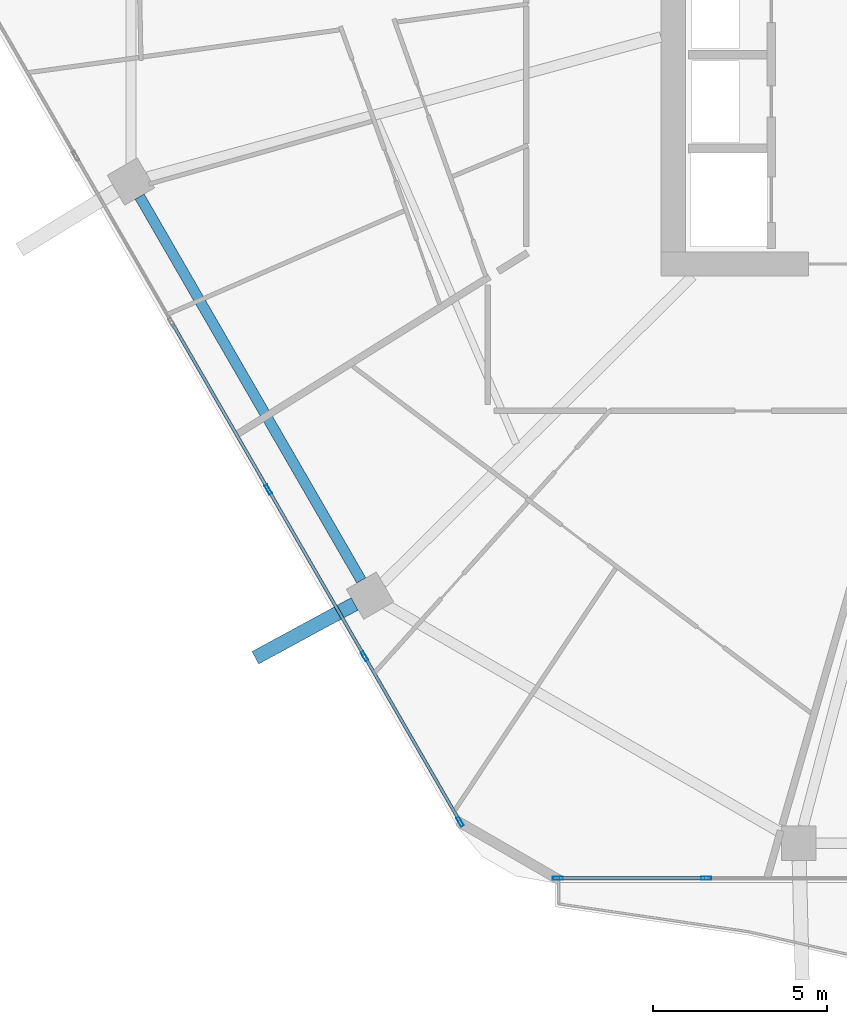
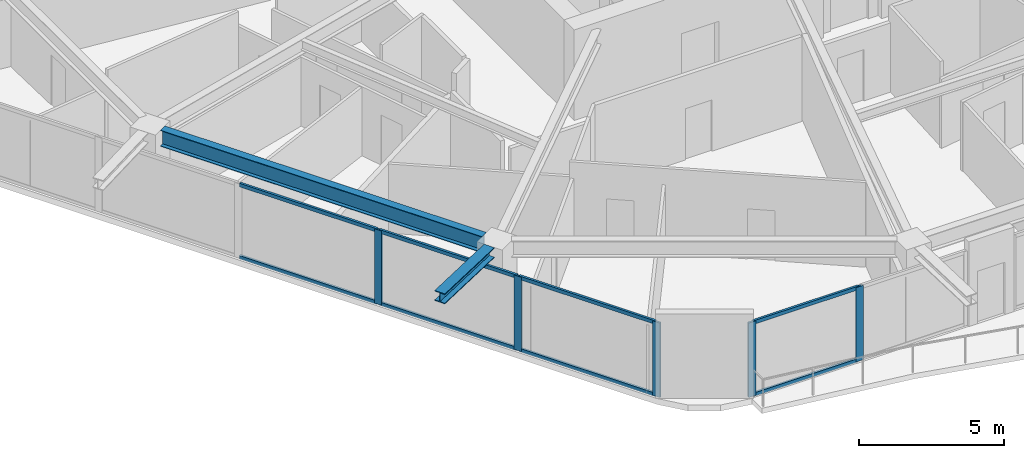
# One storey, part 2 of 25: 13 members, 2 beams, 2 elements without a shape of their own.
"""IFC4 building model written with IfcOpenShell, lengths in metres."""

from ifc_helpers import new_model, si_unit, direction, frame, origin, origin_2d, place, context, subcontext, project, spatial, hollow_rectangle, i_section, extrude, material, material_profile, profile_set, type_object, element, aggregate, save


model = new_model("IFC4")

# Units and contexts
model_context = context("Model", 3, precision=1e-05, world=origin(), true_north=direction((0.0, 1.0)))
body_context = subcontext(model_context, "Body", "Model", "MODEL_VIEW")
ifc_project = project(units=[si_unit("LENGTHUNIT", "METRE"), si_unit("AREAUNIT", "SQUARE_METRE"), si_unit("VOLUMEUNIT", "CUBIC_METRE"), si_unit("PLANEANGLEUNIT", "RADIAN"), si_unit("MASSUNIT", "GRAM", prefix="KILO")], contexts=[model_context])

# Site, building, storey
site_placement = place(None, origin())
site = spatial("IfcSite", under=ifc_project, at=site_placement, CompositionType="ELEMENT")
building_placement = place(site_placement, origin())
building = spatial("IfcBuilding", under=site, at=building_placement, Name="Zuhravey Tower", CompositionType="ELEMENT")
storey_placement = place(building_placement, frame((0.0, 0.0, 150.39990234375)))
storey = spatial("IfcBuildingStorey", under=building, at=storey_placement, Name="L37", CompositionType="ELEMENT", Elevation=150.39990234375)

# Curtain wall, members
ifc_material_1 = material(Name="Thermally broken anodised aluminium", Category="aluminium")
curtain_wall_type = type_object("IfcCurtainWallType", Name="Zone 1-2 Residential Curtain Wall CW3", PredefinedType="NOTDEFINED", material=ifc_material_1)
curtain_wall_1_placement = place(storey_placement, origin())
curtain_wall_1 = element("IfcCurtainWall", 1, at=curtain_wall_1_placement, inside=storey, type_object=curtain_wall_type, Name="L37 CW3 CW-L37-F5-2", PredefinedType="NOTDEFINED")
ifc_material_2 = material(Name="Anodised aluminium", Category="aluminium")
ifc_material_profile_1 = material_profile(ifc_material_2, hollow_rectangle(XDim=0.090087890625, YDim=0.284912109375, WallThickness=0.0048828125, at=origin_2d()), Name="ALU-RHS-90x285x5")
ifc_profile_set_1 = profile_set([ifc_material_profile_1], Name="Anodised aluminium")
member_type_1 = type_object("IfcMemberType", Name="Curtain-Wall Mullion 90x180", PredefinedType="MULLION", material=ifc_profile_set_1)
member_1_placement = place(storey_placement, frame((26.45166015625, 4.81689453125, 0.0), z_axis=(0.0, 0.0, 1.0), x_axis=(0.0, -1.0, 0.0)))
member_1 = element("IfcMember", 2, at=member_1_placement, type_object=member_type_1, Name="CW3 mullion 2", PredefinedType="MULLION", context=body_context, shape_type="SweptSolid", body=[
    extrude(hollow_rectangle(XDim=0.090087890625, YDim=0.284912109375, WallThickness=0.0048828125, at=origin_2d()), origin(), (0.0, 0.0, 1.0), 3.1220703125),
])
member_2_placement = place(storey_placement, frame((22.183837890625, 4.81689453125, 0.0), z_axis=(0.0, 0.0, 1.0), x_axis=(0.0, -1.0, 0.0)))
member_2 = element("IfcMember", 3, at=member_2_placement, type_object=member_type_1, Name="CW3 mullion 3", PredefinedType="MULLION", context=body_context, shape_type="SweptSolid", body=[
    extrude(hollow_rectangle(XDim=0.090087890625, YDim=0.284912109375, WallThickness=0.0048828125, at=origin_2d()), origin(), (0.0, 0.0, 1.0), 3.1220703125),
])

curtain_wall_2_placement = place(storey_placement, origin())
curtain_wall_2 = element("IfcCurtainWall", 4, at=curtain_wall_2_placement, inside=storey, type_object=curtain_wall_type, Name="L37 CW3 CW-L37-F4-1", PredefinedType="NOTDEFINED")
member_3_placement = place(storey_placement, frame((19.36669921875, 6.443359375, 0.0), z_axis=(0.0, 0.0, 1.0), x_axis=(-0.866025138215, -0.500000459979, 0.0)))
member_3 = element("IfcMember", 5, at=member_3_placement, type_object=member_type_1, Name="CW3 mullion 1", PredefinedType="MULLION", context=body_context, shape_type="SweptSolid", body=[
    extrude(hollow_rectangle(XDim=0.090087890625, YDim=0.284912109375, WallThickness=0.0048828125, at=origin_2d()), origin(), (0.0, 0.0, 1.0), 3.1220703125),
])
member_4_placement = place(storey_placement, frame((16.6171875, 11.2060546875, 0.0), z_axis=(0.0, 0.0, 1.0), x_axis=(-0.866025138215, -0.500000459979, 0.0)))
member_4 = element("IfcMember", 6, at=member_4_placement, type_object=member_type_1, Name="CW3 mullion 2", PredefinedType="MULLION", context=body_context, shape_type="SweptSolid", body=[
    extrude(hollow_rectangle(XDim=0.090087890625, YDim=0.284912109375, WallThickness=0.0048828125, at=origin_2d()), origin(), (0.0, 0.0, 1.0), 3.1220703125),
])
member_5_placement = place(storey_placement, frame((13.844970703125, 16.007568359375, 0.0), z_axis=(0.0, 0.0, 1.0), x_axis=(-0.866025138215, -0.500000459979, 0.0)))
member_5 = element("IfcMember", 7, at=member_5_placement, type_object=member_type_1, Name="CW3 mullion 3", PredefinedType="MULLION", context=body_context, shape_type="SweptSolid", body=[
    extrude(hollow_rectangle(XDim=0.090087890625, YDim=0.284912109375, WallThickness=0.0048828125, at=origin_2d()), origin(), (0.0, 0.0, 1.0), 3.1220703125),
])

# Member
ifc_material_profile_2 = material_profile(ifc_material_2, hollow_rectangle(XDim=0.090087890625, YDim=0.14990234375, WallThickness=0.0048828125, at=origin_2d()), Name="ALU-RHS-90x150x5")
ifc_profile_set_2 = profile_set([ifc_material_profile_2], Name="Anodised aluminium")
member_type_2 = type_object("IfcMemberType", Name="Curtain-Wall Transom 90x150", PredefinedType="USERDEFINED", material=ifc_profile_set_2)
member_6_placement = place(storey_placement, frame((26.40673828125, 4.81689453125, 0.045166015625), z_axis=(-1.0, 0.0, 0.0), x_axis=(0.0, -1.0, 0.0)))
member_6 = element("IfcMember", 8, at=member_6_placement, type_object=member_type_2, Name="CW3 transom 2.1", ObjectType="TRANSOM", PredefinedType="USERDEFINED", context=body_context, shape_type="SweptSolid", body=[
    extrude(hollow_rectangle(XDim=0.090087890625, YDim=0.14990234375, WallThickness=0.0048828125, at=origin_2d()), origin(), (0.0, 0.0, 1.0), 4.177734375),
])

member_7_placement = place(storey_placement, frame((26.40673828125, 4.81689453125, 3.0771484375), z_axis=(-1.0, 0.0, 0.0), x_axis=(0.0, -1.0, 0.0)))
member_7 = element("IfcMember", 9, at=member_7_placement, type_object=member_type_2, Name="CW3 transom 2.2", ObjectType="TRANSOM", PredefinedType="USERDEFINED", context=body_context, shape_type="SweptSolid", body=[
    extrude(hollow_rectangle(XDim=0.090087890625, YDim=0.14990234375, WallThickness=0.0048828125, at=origin_2d()), origin(), (0.0, 0.0, 1.0), 4.177734375),
])

aggregate(curtain_wall_1, [member_1, member_2, member_6, member_7])

member_8_placement = place(storey_placement, frame((19.34423828125, 6.482421875, 0.045166015625), z_axis=(-0.499993332629, 0.866029253159, 0.0), x_axis=(-0.866029253159, -0.499993332629, 0.0)))
member_8 = element("IfcMember", 10, at=member_8_placement, type_object=member_type_2, Name="CW3 transom 1.1", ObjectType="TRANSOM", PredefinedType="USERDEFINED", context=body_context, shape_type="SweptSolid", body=[
    extrude(hollow_rectangle(XDim=0.090087890625, YDim=0.14990234375, WallThickness=0.0048828125, at=origin_2d()), origin(), (0.0, 0.0, 1.0), 5.4091796875),
])

member_9_placement = place(storey_placement, frame((19.34423828125, 6.482421875, 3.0771484375), z_axis=(-0.499993332629, 0.866029253159, 0.0), x_axis=(-0.866029253159, -0.499993332629, 0.0)))
member_9 = element("IfcMember", 11, at=member_9_placement, type_object=member_type_2, Name="CW3 transom 1.2", ObjectType="TRANSOM", PredefinedType="USERDEFINED", context=body_context, shape_type="SweptSolid", body=[
    extrude(hollow_rectangle(XDim=0.090087890625, YDim=0.14990234375, WallThickness=0.0048828125, at=origin_2d()), origin(), (0.0, 0.0, 1.0), 5.4091796875),
])

member_10_placement = place(storey_placement, frame((16.594482421875, 11.244873046875, 0.045166015625), z_axis=(-0.49996138257, 0.86604769842, 0.0), x_axis=(-0.86604769842, -0.49996138257, 0.0)))
member_10 = element("IfcMember", 12, at=member_10_placement, type_object=member_type_2, Name="CW3 transom 2.1", ObjectType="TRANSOM", PredefinedType="USERDEFINED", context=body_context, shape_type="SweptSolid", body=[
    extrude(hollow_rectangle(XDim=0.090087890625, YDim=0.14990234375, WallThickness=0.0048828125, at=origin_2d()), origin(), (0.0, 0.0, 1.0), 5.45458984375),
])

member_11_placement = place(storey_placement, frame((16.594482421875, 11.244873046875, 3.0771484375), z_axis=(-0.49996138257, 0.86604769842, 0.0), x_axis=(-0.86604769842, -0.49996138257, 0.0)))
member_11 = element("IfcMember", 13, at=member_11_placement, type_object=member_type_2, Name="CW3 transom 2.2", ObjectType="TRANSOM", PredefinedType="USERDEFINED", context=body_context, shape_type="SweptSolid", body=[
    extrude(hollow_rectangle(XDim=0.090087890625, YDim=0.14990234375, WallThickness=0.0048828125, at=origin_2d()), origin(), (0.0, 0.0, 1.0), 5.45458984375),
])

member_12_placement = place(storey_placement, frame((13.822265625, 16.046630859375, 0.045166015625), z_axis=(-0.499980763544, 0.866036509673, 0.0), x_axis=(-0.866036509673, -0.499980763544, 0.0)))
member_12 = element("IfcMember", 14, at=member_12_placement, type_object=member_type_2, Name="CW3 transom 3.1", ObjectType="TRANSOM", PredefinedType="USERDEFINED", context=body_context, shape_type="SweptSolid", body=[
    extrude(hollow_rectangle(XDim=0.090087890625, YDim=0.14990234375, WallThickness=0.0048828125, at=origin_2d()), origin(), (0.0, 0.0, 1.0), 5.454345703125),
])

member_13_placement = place(storey_placement, frame((13.822265625, 16.046630859375, 3.0771484375), z_axis=(-0.499980763544, 0.866036509673, 0.0), x_axis=(-0.866036509673, -0.499980763544, 0.0)))
member_13 = element("IfcMember", 15, at=member_13_placement, type_object=member_type_2, Name="CW3 transom 3.2", ObjectType="TRANSOM", PredefinedType="USERDEFINED", context=body_context, shape_type="SweptSolid", body=[
    extrude(hollow_rectangle(XDim=0.090087890625, YDim=0.14990234375, WallThickness=0.0048828125, at=origin_2d()), origin(), (0.0, 0.0, 1.0), 5.454345703125),
])

aggregate(curtain_wall_2, [member_3, member_4, member_5, member_8, member_9, member_10, member_11, member_12, member_13])

# Beams
ifc_material_3 = material(Name="Steel SM460", Category="steel")
ifc_material_profile_3 = material_profile(ifc_material_3, i_section(OverallWidth=0.406982421875, OverallDepth=0.427978515625, WebThickness=0.02001953125, FlangeThickness=0.034912109375, at=origin_2d()), Name="H-428x407x20x35")
ifc_profile_set_3 = profile_set([ifc_material_profile_3], Name="Steel SM460")
beam_type_1 = type_object("IfcBeamType", Name="Exoskeleton Node Tie Beam H428x407", PredefinedType="BEAM", material=ifc_profile_set_3)
beam_1_placement = place(storey_placement, frame((16.331298828125, 12.713134765625, 3.336181640625), z_axis=(-0.87911769022, -0.476604748972, 0.0), x_axis=(0.476604748972, -0.87911769022, 0.0)))
element("IfcBeam", 16, at=beam_1_placement, inside=storey, type_object=beam_type_1, Name="L37 Exoskeleton Node Tie NT1-08", PredefinedType="BEAM", context=body_context, shape_type="SweptSolid", body=[
    extrude(i_section(OverallWidth=0.406982421875, OverallDepth=0.427978515625, WebThickness=0.02001953125, FlangeThickness=0.034912109375, at=origin_2d()), origin(), (0.0, 0.0, 1.0), 3.252197265625),
])
ifc_material_4 = material(Name="Steel SM355", Category="steel")
ifc_material_profile_4 = material_profile(ifc_material_4, i_section(OverallWidth=0.300048828125, OverallDepth=0.679931640625, WebThickness=0.012939453125, FlangeThickness=0.02197265625, at=origin_2d()), Name="H-680x300x13x22")
ifc_profile_set_4 = profile_set([ifc_material_profile_4], Name="Steel SM355")
beam_type_2 = type_object("IfcBeamType", Name="Perimeter Ring Beam H680x300", PredefinedType="BEAM", material=ifc_profile_set_4)
beam_2_placement = place(storey_placement, frame((10.143798828125, 24.43798828125, 3.210205078125), z_axis=(0.499997974489, -0.866026573211, 0.0), x_axis=(0.866026573211, 0.499997974489, 0.0)))
element("IfcBeam", 17, at=beam_2_placement, inside=storey, type_object=beam_type_2, Name="L37 PB2 BM-L37-PB-07", PredefinedType="BEAM", context=body_context, shape_type="SweptSolid", body=[
    extrude(i_section(OverallWidth=0.300048828125, OverallDepth=0.679931640625, WebThickness=0.012939453125, FlangeThickness=0.02197265625, at=origin_2d()), origin(), (0.0, 0.0, 1.0), 12.75830078125),
])

save(model, "model.ifc")
